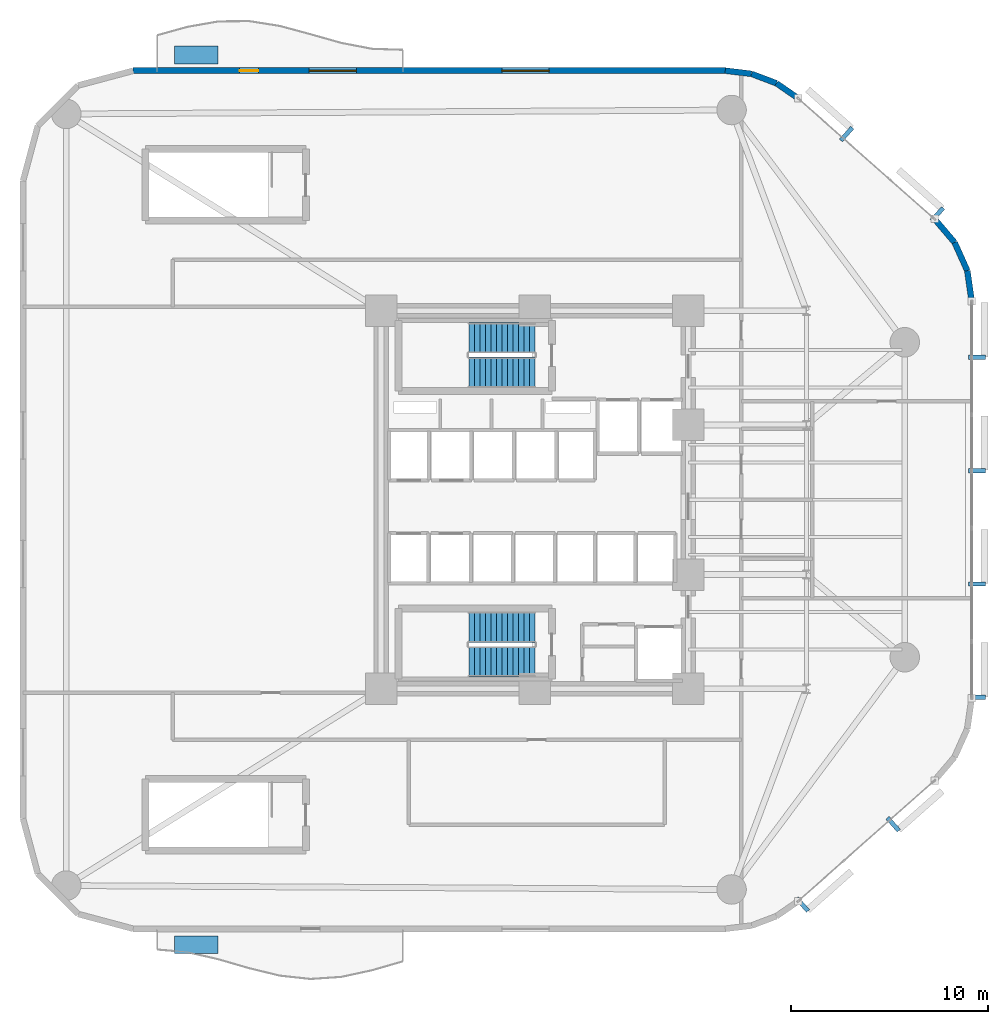
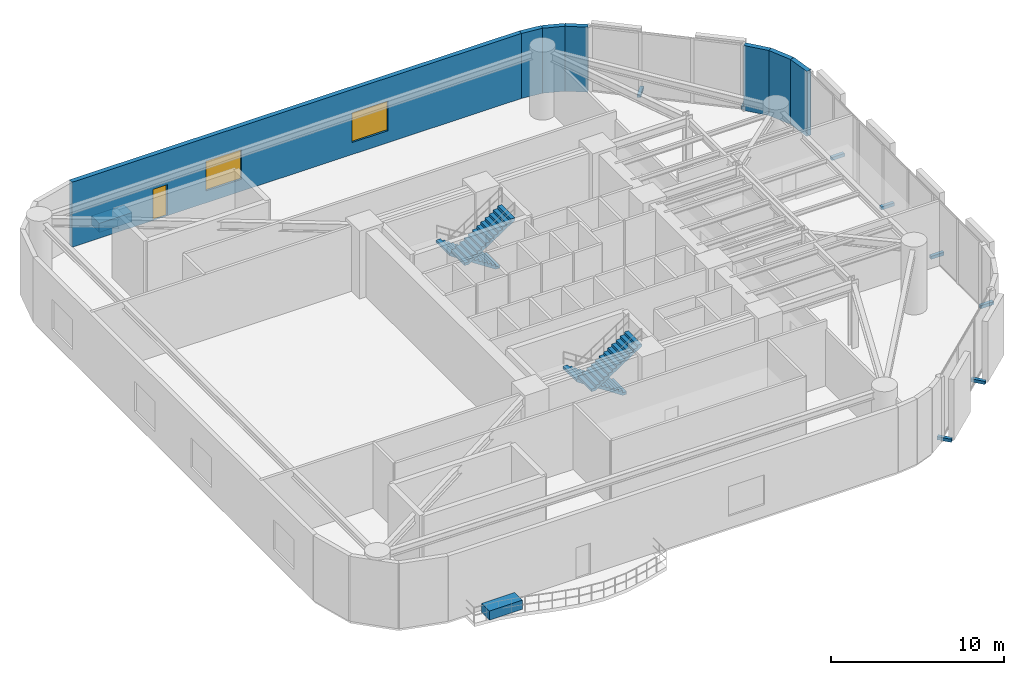
# One storey, part 11 of 13: 10 discrete accessories, 7 walls, 4 stair flights, 2 windows, 1 door, 3 openings, 2 elements without a shape of their own.
"""IFC4 building model written with IfcOpenShell, lengths in metres."""

from ifc_helpers import new_model, si_unit, direction, frame, frame_2d, origin, origin_2d, place, context, subcontext, project, spatial, polyline, rectangle, outline, extrude, material, layer, layer_set, type_object, element, fill, aggregate, save


model = new_model("IFC4")

# Units and contexts
model_context = context("Model", 3, precision=1e-05, world=origin(), true_north=direction((0.0, 1.0)))
body_context = subcontext(model_context, "Body", "Model", "MODEL_VIEW")
ifc_project = project(units=[si_unit("LENGTHUNIT", "METRE"), si_unit("AREAUNIT", "SQUARE_METRE"), si_unit("VOLUMEUNIT", "CUBIC_METRE"), si_unit("PLANEANGLEUNIT", "RADIAN"), si_unit("MASSUNIT", "GRAM", prefix="KILO")], contexts=[model_context])

# Site, building, storey
site_placement = place(None, origin())
site = spatial("IfcSite", under=ifc_project, at=site_placement, CompositionType="ELEMENT")
building_placement = place(site_placement, origin())
building = spatial("IfcBuilding", under=site, at=building_placement, Name="An Khanh Terracotta Commons", CompositionType="ELEMENT")
storey_placement = place(building_placement, frame((0.0, 0.0, 24.0)))
storey = spatial("IfcBuildingStorey", under=building, at=storey_placement, Name="L06", CompositionType="ELEMENT", Elevation=24.0)

# Walls
ifc_material_1 = material(Name="Precast concrete C40/50", Category="concrete")
ifc_layer = layer(ifc_material_1, 0.300048828125, Name="Precast concrete C40/50")
ifc_layer_set = layer_set([ifc_layer], Name="Precast concrete C40/50")
wall_type = type_object("IfcWallType", Name="WALL-EXT-300", PredefinedType="SOLIDWALL", material=ifc_layer_set)
wall_1_placement = place(storey_placement, frame((51.60009765625, 34.076904296875, 0.0), z_axis=(0.0, 0.0, 1.0), x_axis=(-0.140380048512, 0.990097693149, 0.0)))
element("IfcWall", 1, at=wall_1_placement, inside=storey, type_object=wall_type, Name="L06 Insulated Terracotta Exterior Wall 13", PredefinedType="SOLIDWALL", context=body_context, shape_type="SweptSolid", body=[
    extrude(rectangle(XDim=1.57568359375, YDim=0.300048828125, at=frame_2d((0.787841796875, 0.0))), origin(), (0.0, 0.0, 1.0), 4.60009765625),
])
wall_2_placement = place(storey_placement, frame((51.37890625, 35.636962890625, 0.0), z_axis=(0.0, 0.0, 1.0), x_axis=(-0.410996558744, 0.911636895206, 0.0)))
element("IfcWall", 2, at=wall_2_placement, inside=storey, type_object=wall_type, Name="L06 Insulated Terracotta Exterior Wall 14", PredefinedType="SOLIDWALL", context=body_context, shape_type="SweptSolid", body=[
    extrude(rectangle(XDim=1.57421875, YDim=0.300048828125, at=frame_2d((0.787109375, 0.0))), origin(), (0.0, 0.0, 1.0), 4.60009765625),
])
wall_3_placement = place(storey_placement, frame((50.73193359375, 37.072021484375, 0.0), z_axis=(0.0, 0.0, 1.0), x_axis=(-0.648389989909, 0.7613083613, 0.0)))
element("IfcWall", 3, at=wall_3_placement, inside=storey, type_object=wall_type, Name="L06 Insulated Terracotta Exterior Wall 15", PredefinedType="SOLIDWALL", context=body_context, shape_type="SweptSolid", body=[
    extrude(rectangle(XDim=1.576171875, YDim=0.300048828125, at=frame_2d((0.7880859375, 0.0))), origin(), (0.0, 0.0, 1.0), 4.60009765625),
])
wall_4_placement = place(storey_placement, frame((42.7890625, 44.39404296875, 0.0), z_axis=(0.0, 0.0, 1.0), x_axis=(-0.823116500192, 0.567872544777, 0.0)))
element("IfcWall", 4, at=wall_4_placement, inside=storey, type_object=wall_type, Name="L06 Insulated Terracotta Exterior Wall 17", PredefinedType="SOLIDWALL", context=body_context, shape_type="SweptSolid", body=[
    extrude(rectangle(XDim=1.3486328125, YDim=0.300048828125, at=frame_2d((0.67431640625, 0.0))), origin(), (0.0, 0.0, 1.0), 4.60009765625),
])
wall_5_placement = place(storey_placement, frame((41.678955078125, 45.159912109375, 0.0), z_axis=(0.0, 0.0, 1.0), x_axis=(-0.935156721165, 0.354234254216, 0.0)))
element("IfcWall", 5, at=wall_5_placement, inside=storey, type_object=wall_type, Name="L06 Insulated Terracotta Exterior Wall 18", PredefinedType="SOLIDWALL", context=body_context, shape_type="SweptSolid", body=[
    extrude(rectangle(XDim=1.349365234375, YDim=0.300048828125, at=frame_2d((0.6748046875, 0.0))), origin(), (0.0, 0.0, 1.0), 4.60009765625),
])
wall_6_placement = place(storey_placement, frame((40.4169921875, 45.637939453125, 0.0), z_axis=(0.0, 0.0, 1.0), x_axis=(-0.992739027259, 0.120288086515, 0.0)))
element("IfcWall", 6, at=wall_6_placement, inside=storey, type_object=wall_type, Name="L06 Insulated Terracotta Exterior Wall 19", PredefinedType="SOLIDWALL", context=body_context, shape_type="SweptSolid", body=[
    extrude(rectangle(XDim=1.34765625, YDim=0.300048828125, at=frame_2d((0.673828125, 0.0))), origin(), (0.0, 0.0, 1.0), 4.60009765625),
])

# Wall, openings, door, windows
wall_7_placement = place(storey_placement, frame((39.0791015625, 45.800048828125, 0.0), z_axis=(0.0, 0.0, 1.0), x_axis=(-1.0, 0.0, 0.0)))
wall_7 = element("IfcWall", 7, at=wall_7_placement, inside=storey, type_object=wall_type, Name="L06 Insulated Terracotta Exterior Wall 20", PredefinedType="SOLIDWALL", context=body_context, shape_type="SweptSolid", body=[
    extrude(rectangle(XDim=30.0791015625, YDim=0.300048828125, at=frame_2d((15.03955078125, 0.0))), origin(), (0.0, 0.0, 1.0), 4.60009765625),
])
opening_1_placement = place(wall_7_placement, frame((23.717041015625, 0.0, 0.0)))
opening_1 = element("IfcOpeningElement", 8, at=opening_1_placement, cuts=wall_7, Name="Opening D-BAL", PredefinedType="OPENING", context=body_context, shape_type="SweptSolid", body=[
    extrude(rectangle(XDim=0.949951171875, YDim=2.199951171875, at=frame_2d((0.47509765625, 1.10009765625))), frame((0.0, 0.159912109375, 0.0), z_axis=(0.0, -1.0, 0.0), x_axis=(1.0, 0.0, 0.0)), (0.0, 0.0, 1.0), 0.320068359375),
])
opening_2_placement = place(wall_7_placement, frame((8.943115234375, 0.0, 0.85009765625)))
opening_2 = element("IfcOpeningElement", 9, at=opening_2_placement, cuts=wall_7, Name="Opening W-07", PredefinedType="OPENING", context=body_context, shape_type="SweptSolid", body=[
    extrude(rectangle(XDim=2.39990234375, YDim=2.10009765625, at=frame_2d((1.199951171875, 1.050048828125))), frame((0.0, 0.159912109375, 0.0), z_axis=(0.0, -1.0, 0.0), x_axis=(1.0, 0.0, 0.0)), (0.0, 0.0, 1.0), 0.320068359375),
])
opening_3_placement = place(wall_7_placement, frame((18.736083984375, 0.0, 0.85009765625)))
opening_3 = element("IfcOpeningElement", 10, at=opening_3_placement, cuts=wall_7, Name="Opening W-07", PredefinedType="OPENING", context=body_context, shape_type="SweptSolid", body=[
    extrude(rectangle(XDim=2.39990234375, YDim=2.10009765625, at=frame_2d((1.199951171875, 1.050048828125))), frame((0.0, 0.159912109375, 0.0), z_axis=(0.0, -1.0, 0.0), x_axis=(1.0, 0.0, 0.0)), (0.0, 0.0, 1.0), 0.320068359375),
])
ifc_material_2 = material(Name="Thermally Broken Aluminium and Low-E Glass", Category="aluminium")
door_type = type_object("IfcDoorType", Name="DOOR-BALC-950", OperationType="NOTDEFINED", PredefinedType="DOOR", material=ifc_material_2)
door_placement = place(opening_1_placement, origin())
door = element("IfcDoor", 11, at=door_placement, inside=storey, type_object=door_type, Name="L06 N Wave Balcony Glazed Door", OperationType="SINGLE_SWING_RIGHT", OverallHeight=2.199951171875, OverallWidth=0.949951171875, PredefinedType="DOOR", context=body_context, shape_type="SweptSolid", body=[
    extrude(rectangle(XDim=0.949951171875, YDim=2.199951171875, at=frame_2d((0.47509765625, 1.10009765625))), frame((0.0, 0.02490234375, 0.0), z_axis=(0.0, -1.0, 0.0), x_axis=(1.0, 0.0, 0.0)), (0.0, 0.0, 1.0), 0.050048828125),
])
fill(opening_1, door)
window_type = type_object("IfcWindowType", Name="WIN-SKY-2400x2100", PartitioningType="TRIPLE_PANEL_VERTICAL", PredefinedType="WINDOW", material=ifc_material_2)
window_1_placement = place(opening_2_placement, origin())
window_1 = element("IfcWindow", 12, at=window_1_placement, inside=storey, type_object=window_type, Name="L06 Operable Casement Window 20.1", OverallHeight=2.10009765625, OverallWidth=2.39990234375, PartitioningType="TRIPLE_PANEL_VERTICAL", PredefinedType="WINDOW", context=body_context, shape_type="SweptSolid", body=[
    extrude(rectangle(XDim=2.39990234375, YDim=2.10009765625, at=frame_2d((1.199951171875, 1.050048828125))), frame((0.0, 0.030029296875, 0.0), z_axis=(0.0, -1.0, 0.0), x_axis=(1.0, 0.0, 0.0)), (0.0, 0.0, 1.0), 0.06005859375),
])
fill(opening_2, window_1)
window_2_placement = place(opening_3_placement, origin())
window_2 = element("IfcWindow", 13, at=window_2_placement, inside=storey, type_object=window_type, Name="L06 Operable Casement Window 20.2", OverallHeight=2.10009765625, OverallWidth=2.39990234375, PartitioningType="TRIPLE_PANEL_VERTICAL", PredefinedType="WINDOW", context=body_context, shape_type="SweptSolid", body=[
    extrude(rectangle(XDim=2.39990234375, YDim=2.10009765625, at=frame_2d((1.199951171875, 1.050048828125))), frame((0.0, 0.030029296875, 0.0), z_axis=(0.0, -1.0, 0.0), x_axis=(1.0, 0.0, 0.0)), (0.0, 0.0, 1.0), 0.06005859375),
])
fill(opening_3, window_2)

# Stair, stair flights
stair_type = type_object("IfcStairType", Name="STAIR-CORE-1550", PredefinedType="HALF_TURN_STAIR", material=ifc_material_1)
stair_1_placement = place(storey_placement, origin())
stair_1 = element("IfcStair", 14, at=stair_1_placement, inside=storey, type_object=stair_type, Name="L06 Core Smokeproof Exit Stair ST-01", PredefinedType="HALF_TURN_STAIR")
stair_flight_type = type_object("IfcStairFlightType", Name="FLIGHT-CORE-1550", PredefinedType="STRAIGHT", material=ifc_material_1)
stair_flight_1_placement = place(storey_placement, frame((29.409912109375, 32.22509765625, 0.0), z_axis=(0.0, 0.0, 1.0), x_axis=(-1.0, 0.0, 0.0)))
stair_flight_1 = element("IfcStairFlight", 15, at=stair_flight_1_placement, type_object=stair_flight_type, Name="ST-01 flight 1", NumberOfRisers=13, NumberOfTreads=12, PredefinedType="STRAIGHT", RiserHeight=0.184615385, TreadLength=0.28, context=body_context, shape_type="SweptSolid", body=[
    extrude(outline(polyline([(0.0, 0.0), (0.0, 0.1845703125), (0.280029296875, 0.1845703125), (0.280029296875, 0.369140625), (0.56005859375, 0.369140625), (0.56005859375, 0.553955078125), (0.840087890625, 0.553955078125), (0.840087890625, 0.738525390625), (1.1201171875, 0.738525390625), (1.1201171875, 0.923095703125), (1.39990234375, 0.923095703125), (1.39990234375, 1.107666015625), (1.679931640625, 1.107666015625), (1.679931640625, 1.292236328125), (1.9599609375, 1.292236328125), (1.9599609375, 1.476806640625), (2.239990234375, 1.476806640625), (2.239990234375, 1.66162109375), (2.52001953125, 1.66162109375), (2.52001953125, 1.84619140625), (2.800048828125, 1.84619140625), (2.800048828125, 2.03076171875), (3.080078125, 2.03076171875), (3.080078125, 2.21533203125), (3.360107421875, 2.21533203125), (3.360107421875, 2.39990234375), (3.360107421875, 2.035888671875), (0.272216796875, 0.0), (0.0, 0.0)])), frame((0.0, 0.77490234375, 0.0), z_axis=(0.0, -1.0, 0.0), x_axis=(1.0, 0.0, 0.0)), (0.0, 0.0, 1.0), 1.550048828125),
])
stair_flight_2_placement = place(storey_placement, frame((26.050048828125, 30.47509765625, 2.39990234375), z_axis=(0.0, 0.0, 1.0), x_axis=(1.0, 0.0, 0.0)))
stair_flight_2 = element("IfcStairFlight", 16, at=stair_flight_2_placement, type_object=stair_flight_type, Name="ST-01 flight 2", NumberOfRisers=13, NumberOfTreads=12, PredefinedType="STRAIGHT", RiserHeight=0.184615385, TreadLength=0.28, context=body_context, shape_type="SweptSolid", body=[
    extrude(outline(polyline([(0.0, 0.0), (0.0, 0.1845703125), (0.280029296875, 0.1845703125), (0.280029296875, 0.369140625), (0.56005859375, 0.369140625), (0.56005859375, 0.553955078125), (0.840087890625, 0.553955078125), (0.840087890625, 0.738525390625), (1.1201171875, 0.738525390625), (1.1201171875, 0.923095703125), (1.39990234375, 0.923095703125), (1.39990234375, 1.107666015625), (1.679931640625, 1.107666015625), (1.679931640625, 1.292236328125), (1.9599609375, 1.292236328125), (1.9599609375, 1.476806640625), (2.239990234375, 1.476806640625), (2.239990234375, 1.66162109375), (2.52001953125, 1.66162109375), (2.52001953125, 1.84619140625), (2.800048828125, 1.84619140625), (2.800048828125, 2.03076171875), (3.080078125, 2.03076171875), (3.080078125, 2.21533203125), (3.360107421875, 2.21533203125), (3.360107421875, 2.39990234375), (3.360107421875, 2.035888671875), (0.272216796875, 0.0), (0.0, 0.0)])), frame((0.0, 0.77490234375, 0.0), z_axis=(0.0, -1.0, 0.0), x_axis=(1.0, 0.0, 0.0)), (0.0, 0.0, 1.0), 1.550048828125),
])
aggregate(stair_1, [stair_flight_1, stair_flight_2])

stair_2_placement = place(storey_placement, origin())
stair_2 = element("IfcStair", 17, at=stair_2_placement, inside=storey, type_object=stair_type, Name="L06 Core Smokeproof Exit Stair ST-02", PredefinedType="HALF_TURN_STAIR")
stair_flight_3_placement = place(storey_placement, frame((29.409912109375, 17.52490234375, 0.0), z_axis=(0.0, 0.0, 1.0), x_axis=(-1.0, 0.0, 0.0)))
stair_flight_3 = element("IfcStairFlight", 18, at=stair_flight_3_placement, type_object=stair_flight_type, Name="ST-02 flight 1", NumberOfRisers=13, NumberOfTreads=12, PredefinedType="STRAIGHT", RiserHeight=0.184615385, TreadLength=0.28, context=body_context, shape_type="SweptSolid", body=[
    extrude(outline(polyline([(0.0, 0.0), (0.0, 0.1845703125), (0.280029296875, 0.1845703125), (0.280029296875, 0.369140625), (0.56005859375, 0.369140625), (0.56005859375, 0.553955078125), (0.840087890625, 0.553955078125), (0.840087890625, 0.738525390625), (1.1201171875, 0.738525390625), (1.1201171875, 0.923095703125), (1.39990234375, 0.923095703125), (1.39990234375, 1.107666015625), (1.679931640625, 1.107666015625), (1.679931640625, 1.292236328125), (1.9599609375, 1.292236328125), (1.9599609375, 1.476806640625), (2.239990234375, 1.476806640625), (2.239990234375, 1.66162109375), (2.52001953125, 1.66162109375), (2.52001953125, 1.84619140625), (2.800048828125, 1.84619140625), (2.800048828125, 2.03076171875), (3.080078125, 2.03076171875), (3.080078125, 2.21533203125), (3.360107421875, 2.21533203125), (3.360107421875, 2.39990234375), (3.360107421875, 2.035888671875), (0.272216796875, 0.0), (0.0, 0.0)])), frame((0.0, 0.77490234375, 0.0), z_axis=(0.0, -1.0, 0.0), x_axis=(1.0, 0.0, 0.0)), (0.0, 0.0, 1.0), 1.550048828125),
])
stair_flight_4_placement = place(storey_placement, frame((26.050048828125, 15.77490234375, 2.39990234375), z_axis=(0.0, 0.0, 1.0), x_axis=(1.0, 0.0, 0.0)))
stair_flight_4 = element("IfcStairFlight", 19, at=stair_flight_4_placement, type_object=stair_flight_type, Name="ST-02 flight 2", NumberOfRisers=13, NumberOfTreads=12, PredefinedType="STRAIGHT", RiserHeight=0.184615385, TreadLength=0.28, context=body_context, shape_type="SweptSolid", body=[
    extrude(outline(polyline([(0.0, 0.0), (0.0, 0.1845703125), (0.280029296875, 0.1845703125), (0.280029296875, 0.369140625), (0.56005859375, 0.369140625), (0.56005859375, 0.553955078125), (0.840087890625, 0.553955078125), (0.840087890625, 0.738525390625), (1.1201171875, 0.738525390625), (1.1201171875, 0.923095703125), (1.39990234375, 0.923095703125), (1.39990234375, 1.107666015625), (1.679931640625, 1.107666015625), (1.679931640625, 1.292236328125), (1.9599609375, 1.292236328125), (1.9599609375, 1.476806640625), (2.239990234375, 1.476806640625), (2.239990234375, 1.66162109375), (2.52001953125, 1.66162109375), (2.52001953125, 1.84619140625), (2.800048828125, 1.84619140625), (2.800048828125, 2.03076171875), (3.080078125, 2.03076171875), (3.080078125, 2.21533203125), (3.360107421875, 2.21533203125), (3.360107421875, 2.39990234375), (3.360107421875, 2.035888671875), (0.272216796875, 0.0), (0.0, 0.0)])), frame((0.0, 0.77490234375, 0.0), z_axis=(0.0, -1.0, 0.0), x_axis=(1.0, 0.0, 0.0)), (0.0, 0.0, 1.0), 1.550048828125),
])
aggregate(stair_2, [stair_flight_3, stair_flight_4])

# Discrete accessories
ifc_material_3 = material(Name="Stainless Steel Grade 316L", Category="steel")
discrete_accessory_type_1 = type_object("IfcDiscreteAccessoryType", Name="Stainless Outrigger Facade Bracket", PredefinedType="BRACKET", material=ifc_material_3)
for number, where, z_axis, x_axis, name in (
    (20, (42.9951171875, 3.43408203125, 0.06982421875), (0.0, 0.0, 1.0), (0.749019284633, 0.662548195415, 0.0), "L06 Terracotta Screen Outrigger Bracket 1"),
    (21, (47.60888671875, 7.514892578125, 0.06982421875), (0.0, 0.0, 1.0), (0.749019284633, 0.662548195415, 0.0), "L06 Terracotta Screen Outrigger Bracket 3"),
    (22, (51.864990234375, 13.962890625, 0.06982421875), (0.0, 0.0, 1.0), (0.0, 1.0, 0.0), "L06 Terracotta Screen Outrigger Bracket 1"),
    (23, (51.864990234375, 19.720947265625, 0.06982421875), (0.0, 0.0, 1.0), (0.0, 1.0, 0.0), "L06 Terracotta Screen Outrigger Bracket 3"),
    (24, (51.864990234375, 25.47998046875, 0.06982421875), (0.0, 0.0, 1.0), (0.0, 1.0, 0.0), "L06 Terracotta Screen Outrigger Bracket 5"),
    (25, (51.864990234375, 31.238037109375, 0.06982421875), (0.0, 0.0, 1.0), (0.0, 1.0, 0.0), "L06 Terracotta Screen Outrigger Bracket 7"),
    (26, (49.85595703125, 38.4970703125, 0.06982421875), (0.0, 0.0, 1.0), (-0.749019284633, 0.662548195415, 0.0), "L06 Terracotta Screen Outrigger Bracket 1"),
    (27, (45.241943359375, 42.577880859375, 0.06982421875), (0.0, 0.0, 1.0), (-0.749019284633, 0.662548195415, 0.0), "L06 Terracotta Screen Outrigger Bracket 3"),
):
    element("IfcDiscreteAccessory", number, at=place(storey_placement, frame(where, z_axis=z_axis, x_axis=x_axis)), inside=storey, type_object=discrete_accessory_type_1, Name=name, PredefinedType="BRACKET", context=body_context, shape_type="SweptSolid", body=[
        extrude(rectangle(XDim=0.219970703125, YDim=0.8701171875, at=origin_2d()), origin(), (0.0, 0.0, 1.0), 0.219970703125),
    ])
ifc_material_4 = material(Name="Planted Garden Soil Substrate in Precast GRC", Category="concrete")
discrete_accessory_type_2 = type_object("IfcDiscreteAccessoryType", Name="Terrace Garden Planter", PredefinedType="USERDEFINED", material=ifc_material_4)
for number, where, z_axis, x_axis, name in (
    (28, (12.199951171875, 1.39990234375, 0.0), (0.0, 0.0, 1.0), (1.0, 0.0, 0.0), "L06 S Sky Balcony Planter"),
    (29, (12.199951171875, 46.60009765625, 0.0), (0.0, 0.0, 1.0), (1.0, 0.0, 0.0), "L06 N Sky Balcony Planter"),
):
    element("IfcDiscreteAccessory", number, at=place(storey_placement, frame(where, z_axis=z_axis, x_axis=x_axis)), inside=storey, type_object=discrete_accessory_type_2, Name=name, ObjectType="PLANTER", PredefinedType="USERDEFINED", context=body_context, shape_type="SweptSolid", body=[
        extrude(rectangle(XDim=2.199951171875, YDim=0.89990234375, at=origin_2d()), origin(), (0.0, 0.0, 1.0), 0.64990234375),
    ])

save(model, "model.ifc")
